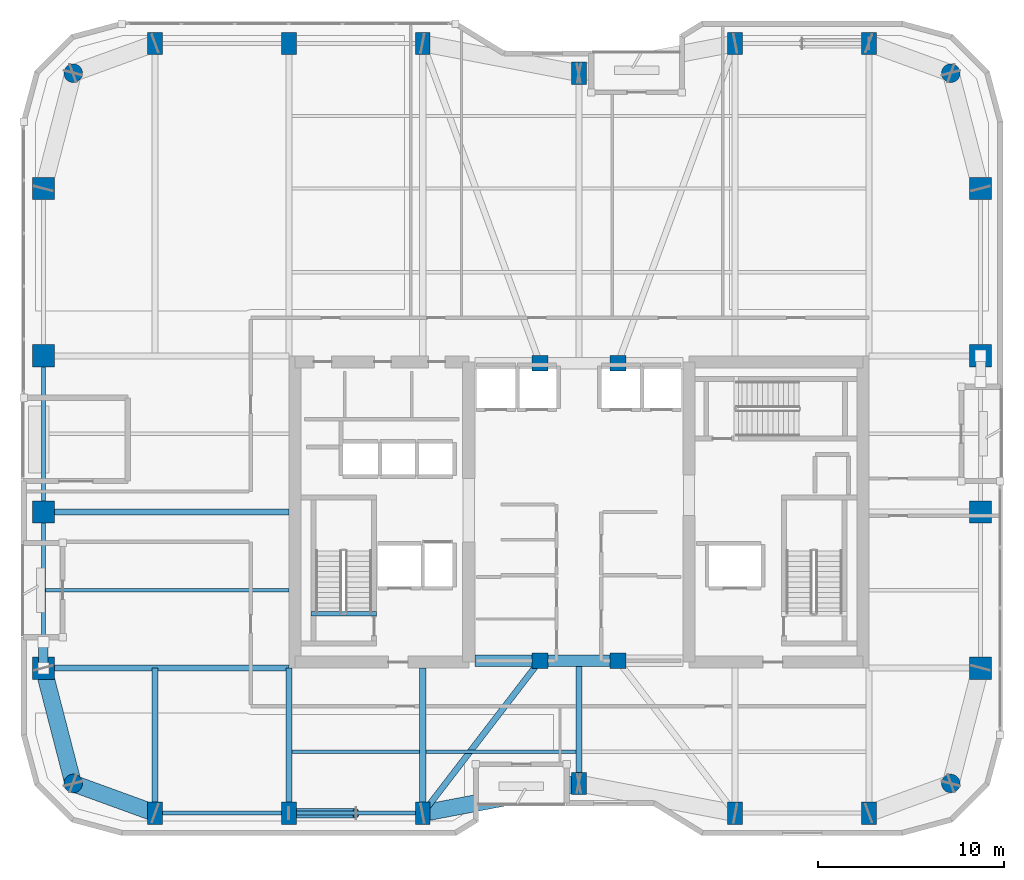
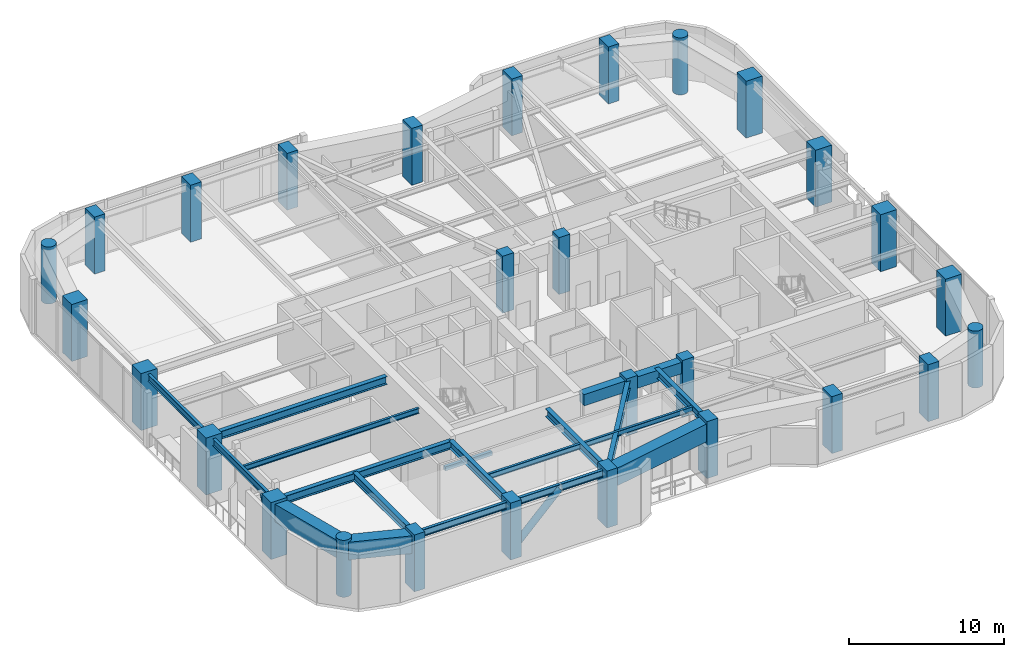
# One storey, part 1 of 21: 28 columns, 20 beams, 2 members.
"""IFC4 building model written with IfcOpenShell, lengths in metres."""

from ifc_helpers import new_model, si_unit, direction, frame, origin, origin_2d, place, context, subcontext, project, spatial, rectangle, hollow_rectangle, circle, hollow_circle, i_section, extrude, material, material_profile, profile_set, type_object, element, save


model = new_model("IFC4")

# Units and contexts
model_context = context("Model", 3, precision=1e-05, world=origin(), true_north=direction((0.0, 1.0)))
body_context = subcontext(model_context, "Body", "Model", "MODEL_VIEW")
ifc_project = project(units=[si_unit("LENGTHUNIT", "METRE"), si_unit("AREAUNIT", "SQUARE_METRE"), si_unit("VOLUMEUNIT", "CUBIC_METRE"), si_unit("PLANEANGLEUNIT", "RADIAN"), si_unit("MASSUNIT", "GRAM", prefix="KILO")], contexts=[model_context])

# Site, building, storey
site_placement = place(None, origin())
site = spatial("IfcSite", under=ifc_project, at=site_placement, CompositionType="ELEMENT")
building_placement = place(site_placement, origin())
building = spatial("IfcBuilding", under=site, at=building_placement, Name="Kiyonajd Concourse Tower", CompositionType="ELEMENT")
storey_placement = place(building_placement, frame((0.0, 0.0, 181.800048828125)))
storey = spatial("IfcBuildingStorey", under=building, at=storey_placement, Name="L46", CompositionType="ELEMENT", Elevation=181.800048828125)

# Columns
ifc_material_1 = material(Name="Concrete C70/85", Category="concrete")
ifc_material_profile_1 = material_profile(ifc_material_1, rectangle(XDim=0.800048828125, YDim=1.199951171875, at=origin_2d()), Name="RC-1200x800")
ifc_profile_set_1 = profile_set([ifc_material_profile_1], Name="Concrete C70/85")
column_type_1 = type_object("IfcColumnType", Name="CL-BLADE-1200", PredefinedType="COLUMN", material=ifc_profile_set_1)
for number, where, z_axis, x_axis, name in (
    (1, (25.199951171875, 19.800048828125, 0.0), (0.0, 0.0, 1.0), (1.0, 0.0, 0.0), "L46 Perimeter Bundled Tube Column"),
    (2, (25.199951171875, 61.199951171875, 0.0), (0.0, 0.0, 1.0), (1.0, 0.0, 0.0), "L46 Perimeter Bundled Tube Column"),
    (3, (32.39990234375, 19.800048828125, 0.0), (0.0, 0.0, 1.0), (1.0, 0.0, 0.0), "L46 Perimeter Bundled Tube Column"),
    (4, (32.39990234375, 61.199951171875, 0.0), (0.0, 0.0, 1.0), (1.0, 0.0, 0.0), "L46 Perimeter Bundled Tube Column"),
    (5, (39.60009765625, 19.800048828125, 0.0), (0.0, 0.0, 1.0), (1.0, 0.0, 0.0), "L46 Perimeter Bundled Tube Column"),
    (6, (39.60009765625, 61.199951171875, 0.0), (0.0, 0.0, 1.0), (1.0, 0.0, 0.0), "L46 Perimeter Bundled Tube Column"),
    (7, (48.0, 21.39990234375, 0.0), (0.0, 0.0, 1.0), (1.0, 0.0, 0.0), "L46 Perimeter Bundled Tube Column"),
    (8, (48.0, 59.60009765625, 0.0), (0.0, 0.0, 1.0), (1.0, 0.0, 0.0), "L46 Perimeter Bundled Tube Column"),
    (9, (56.39990234375, 19.800048828125, 0.0), (0.0, 0.0, 1.0), (1.0, 0.0, 0.0), "L46 Perimeter Bundled Tube Column"),
    (10, (56.39990234375, 61.199951171875, 0.0), (0.0, 0.0, 1.0), (1.0, 0.0, 0.0), "L46 Perimeter Bundled Tube Column"),
    (11, (63.60009765625, 19.800048828125, 0.0), (0.0, 0.0, 1.0), (1.0, 0.0, 0.0), "L46 Perimeter Bundled Tube Column"),
    (12, (63.60009765625, 61.199951171875, 0.0), (0.0, 0.0, 1.0), (1.0, 0.0, 0.0), "L46 Perimeter Bundled Tube Column"),
):
    element("IfcColumn", number, at=place(storey_placement, frame(where, z_axis=z_axis, x_axis=x_axis)), inside=storey, type_object=column_type_1, Name=name, PredefinedType="COLUMN", context=body_context, shape_type="SweptSolid", body=[
        extrude(rectangle(XDim=0.800048828125, YDim=1.199951171875, at=origin_2d()), origin(), (0.0, 0.0, 1.0), 4.5),
    ])
ifc_material_2 = material(Name="Concrete C60/75", Category="concrete")
ifc_material_profile_2 = material_profile(ifc_material_2, circle(Radius=0.5, at=origin_2d()), Name="RCC-D1000")
ifc_profile_set_2 = profile_set([ifc_material_profile_2], Name="Concrete C60/75")
column_type_2 = type_object("IfcColumnType", Name="CL-RND-1000", PredefinedType="COLUMN", material=ifc_profile_set_2)
for number, where, z_axis, x_axis, name in (
    (13, (20.800048828125, 21.39990234375, 0.0), (0.0, 0.0, 1.0), (1.0, 0.0, 0.0), "L46 Bundled Tube Corner Column South West"),
    (14, (68.0, 21.39990234375, 0.0), (0.0, 0.0, 1.0), (1.0, 0.0, 0.0), "L46 Bundled Tube Corner Column South East"),
    (15, (68.0, 59.60009765625, 0.0), (0.0, 0.0, 1.0), (1.0, 0.0, 0.0), "L46 Bundled Tube Corner Column North East"),
    (16, (20.800048828125, 59.60009765625, 0.0), (0.0, 0.0, 1.0), (1.0, 0.0, 0.0), "L46 Bundled Tube Corner Column North West"),
):
    element("IfcColumn", number, at=place(storey_placement, frame(where, z_axis=z_axis, x_axis=x_axis)), inside=storey, type_object=column_type_2, Name=name, PredefinedType="COLUMN", context=body_context, shape_type="SweptSolid", body=[
        extrude(circle(Radius=0.5, at=origin_2d()), origin(), (0.0, 0.0, 1.0), 4.5),
    ])
ifc_material_profile_3 = material_profile(ifc_material_1, rectangle(XDim=1.199951171875, YDim=1.199951171875, at=origin_2d()), Name="RC-1200x1200")
ifc_profile_set_3 = profile_set([ifc_material_profile_3], Name="Concrete C70/85")
column_type_3 = type_object("IfcColumnType", Name="CL-TUBE-1200", PredefinedType="COLUMN", material=ifc_profile_set_3)
for number, where, z_axis, x_axis, name in (
    (17, (19.199951171875, 27.60009765625, 0.0), (0.0, 0.0, 1.0), (1.0, 0.0, 0.0), "L46 Perimeter Bundled Tube Column"),
    (18, (69.60009765625, 27.60009765625, 0.0), (0.0, 0.0, 1.0), (1.0, 0.0, 0.0), "L46 Perimeter Bundled Tube Column"),
    (19, (19.199951171875, 36.0, 0.0), (0.0, 0.0, 1.0), (1.0, 0.0, 0.0), "L46 Perimeter Bundled Tube Column"),
    (20, (69.60009765625, 36.0, 0.0), (0.0, 0.0, 1.0), (1.0, 0.0, 0.0), "L46 Perimeter Bundled Tube Column"),
    (21, (19.199951171875, 44.39990234375, 0.0), (0.0, 0.0, 1.0), (1.0, 0.0, 0.0), "L46 Perimeter Bundled Tube Column"),
    (22, (69.60009765625, 44.39990234375, 0.0), (0.0, 0.0, 1.0), (1.0, 0.0, 0.0), "L46 Perimeter Bundled Tube Column"),
    (23, (19.199951171875, 53.39990234375, 0.0), (0.0, 0.0, 1.0), (1.0, 0.0, 0.0), "L46 Perimeter Bundled Tube Column"),
    (24, (69.60009765625, 53.39990234375, 0.0), (0.0, 0.0, 1.0), (1.0, 0.0, 0.0), "L46 Perimeter Bundled Tube Column"),
):
    element("IfcColumn", number, at=place(storey_placement, frame(where, z_axis=z_axis, x_axis=x_axis)), inside=storey, type_object=column_type_3, Name=name, PredefinedType="COLUMN", context=body_context, shape_type="SweptSolid", body=[
        extrude(rectangle(XDim=1.199951171875, YDim=1.199951171875, at=origin_2d()), origin(), (0.0, 0.0, 1.0), 4.5),
    ])
ifc_material_profile_4 = material_profile(ifc_material_2, rectangle(XDim=0.85009765625, YDim=0.85009765625, at=origin_2d()), Name="RC-850x850")
ifc_profile_set_4 = profile_set([ifc_material_profile_4], Name="Concrete C60/75")
column_type_4 = type_object("IfcColumnType", Name="CL-TUBE-850", PredefinedType="COLUMN", material=ifc_profile_set_4)
for number, where, z_axis, x_axis, name in (
    (25, (45.89990234375, 28.0, 0.0), (0.0, 0.0, 1.0), (1.0, 0.0, 0.0), "L46 Core Tie Column South West"),
    (26, (50.10009765625, 28.0, 0.0), (0.0, 0.0, 1.0), (1.0, 0.0, 0.0), "L46 Core Tie Column South East"),
    (27, (45.89990234375, 44.0, 0.0), (0.0, 0.0, 1.0), (1.0, 0.0, 0.0), "L46 Core Tie Column North West"),
    (28, (50.10009765625, 44.0, 0.0), (0.0, 0.0, 1.0), (1.0, 0.0, 0.0), "L46 Core Tie Column North East"),
):
    element("IfcColumn", number, at=place(storey_placement, frame(where, z_axis=z_axis, x_axis=x_axis)), inside=storey, type_object=column_type_4, Name=name, PredefinedType="COLUMN", context=body_context, shape_type="SweptSolid", body=[
        extrude(rectangle(XDim=0.85009765625, YDim=0.85009765625, at=origin_2d()), origin(), (0.0, 0.0, 1.0), 4.5),
    ])

# Beams
ifc_material_profile_5 = material_profile(ifc_material_2, rectangle(XDim=0.60009765625, YDim=0.89990234375, at=origin_2d()), Name="RCBM-600x900")
ifc_profile_set_5 = profile_set([ifc_material_profile_5], Name="Concrete C60/75")
beam_type_1 = type_object("IfcBeamType", Name="BM-COUP-900", PredefinedType="LINTEL", material=ifc_profile_set_5)
beam_1_placement = place(storey_placement, frame((42.39990234375, 28.0, 3.829833984375), z_axis=(1.0, 0.0, 0.0), x_axis=(0.0, 1.0, 0.0)))
element("IfcBeam", 29, at=beam_1_placement, inside=storey, type_object=beam_type_1, Name="L46 Core Coupling Beam S1", PredefinedType="LINTEL", context=body_context, shape_type="SweptSolid", body=[
    extrude(rectangle(XDim=0.60009765625, YDim=0.89990234375, at=origin_2d()), origin(), (0.0, 0.0, 1.0), 3.5),
])
beam_2_placement = place(storey_placement, frame((45.89990234375, 28.0, 3.829833984375), z_axis=(1.0, 0.0, 0.0), x_axis=(0.0, 1.0, 0.0)))
element("IfcBeam", 30, at=beam_2_placement, inside=storey, type_object=beam_type_1, Name="L46 Core Coupling Beam S2", PredefinedType="LINTEL", context=body_context, shape_type="SweptSolid", body=[
    extrude(rectangle(XDim=0.60009765625, YDim=0.89990234375, at=origin_2d()), origin(), (0.0, 0.0, 1.0), 4.2001953125),
])
ifc_material_3 = material(Name="Steel ASTM A992 Grade 50", Category="steel")
ifc_material_profile_6 = material_profile(ifc_material_3, i_section(OverallWidth=0.180908203125, OverallDepth=0.4169921875, WebThickness=0.010986328125, FlangeThickness=0.018310546875, at=origin_2d()), Name="W410X85")
ifc_profile_set_6 = profile_set([ifc_material_profile_6], Name="Steel ASTM A992 Grade 50")
beam_type_2 = type_object("IfcBeamType", Name="BM-JST-410", PredefinedType="JOIST", material=ifc_profile_set_6)
beam_3_placement = place(storey_placement, frame((32.5634765625, 23.10009765625, 4.071533203125), z_axis=(1.0, 0.0, 0.0), x_axis=(0.0, 1.0, 0.0)))
element("IfcBeam", 31, at=beam_3_placement, inside=storey, type_object=beam_type_2, Name="L46 Secondary Floor Joist", PredefinedType="JOIST", context=body_context, shape_type="SweptSolid", body=[
    extrude(i_section(OverallWidth=0.180908203125, OverallDepth=0.4169921875, WebThickness=0.010986328125, FlangeThickness=0.018310546875, at=origin_2d()), origin(), (0.0, 0.0, 1.0), 6.873046875),
])
beam_4_placement = place(storey_placement, frame((39.763427734375, 23.10009765625, 4.071533203125), z_axis=(1.0, 0.0, 0.0), x_axis=(0.0, 1.0, 0.0)))
element("IfcBeam", 32, at=beam_4_placement, inside=storey, type_object=beam_type_2, Name="L46 Secondary Floor Joist", PredefinedType="JOIST", context=body_context, shape_type="SweptSolid", body=[
    extrude(i_section(OverallWidth=0.180908203125, OverallDepth=0.4169921875, WebThickness=0.010986328125, FlangeThickness=0.018310546875, at=origin_2d()), origin(), (0.0, 0.0, 1.0), 8.072998046875),
])
beam_5_placement = place(storey_placement, frame((19.306884765625, 31.800048828125, 4.071533203125), z_axis=(1.0, 0.0, 0.0), x_axis=(0.0, 1.0, 0.0)))
element("IfcBeam", 33, at=beam_5_placement, inside=storey, type_object=beam_type_2, Name="L46 West Secondary Floor Joist", PredefinedType="JOIST", context=body_context, shape_type="SweptSolid", body=[
    extrude(i_section(OverallWidth=0.180908203125, OverallDepth=0.4169921875, WebThickness=0.010986328125, FlangeThickness=0.018310546875, at=origin_2d()), origin(), (0.0, 0.0, 1.0), 13.093017578125),
])
ifc_material_4 = material(Name="Concrete C50/60", Category="concrete")
ifc_material_profile_7 = material_profile(ifc_material_4, rectangle(XDim=0.239990234375, YDim=0.320068359375, at=origin_2d()), Name="RCBM-240x320")
ifc_profile_set_7 = profile_set([ifc_material_profile_7], Name="Concrete C50/60")
beam_type_3 = type_object("IfcBeamType", Name="BM-LNT-250", PredefinedType="LINTEL", material=ifc_profile_set_7)
beam_6_placement = place(storey_placement, frame((33.590087890625, 30.530029296875, -0.16015625), z_axis=(1.0, 0.0, 0.0), x_axis=(0.0, 1.0, 0.0)))
element("IfcBeam", 34, at=beam_6_placement, inside=storey, type_object=beam_type_3, Name="L46 Stair ST1 Threshold Support Beam", PredefinedType="LINTEL", context=body_context, shape_type="SweptSolid", body=[
    extrude(rectangle(XDim=0.239990234375, YDim=0.320068359375, at=origin_2d()), origin(), (0.0, 0.0, 1.0), 3.52001953125),
])
ifc_material_profile_8 = material_profile(ifc_material_3, i_section(OverallWidth=0.214111328125, OverallDepth=0.549072265625, WebThickness=0.0146484375, FlangeThickness=0.023681640625, at=origin_2d()), Name="W530X138")
ifc_profile_set_8 = profile_set([ifc_material_profile_8], Name="Steel ASTM A992 Grade 50")
beam_type_4 = type_object("IfcBeamType", Name="BM-SPAN-530A", PredefinedType="SPANDREL", material=ifc_profile_set_8)
beam_7_placement = place(storey_placement, frame((25.199951171875, 19.800048828125, 4.00537109375), z_axis=(1.0, 0.0, 0.0), x_axis=(0.0, 1.0, 0.0)))
element("IfcBeam", 35, at=beam_7_placement, inside=storey, type_object=beam_type_4, Name="L46 Perimeter Bundled Tube Spandrel", PredefinedType="SPANDREL", context=body_context, shape_type="SweptSolid", body=[
    extrude(i_section(OverallWidth=0.214111328125, OverallDepth=0.549072265625, WebThickness=0.0146484375, FlangeThickness=0.023681640625, at=origin_2d()), origin(), (0.0, 0.0, 1.0), 7.199951171875),
])
beam_8_placement = place(storey_placement, frame((32.39990234375, 19.800048828125, 4.00537109375), z_axis=(1.0, 0.0, 0.0), x_axis=(0.0, 1.0, 0.0)))
element("IfcBeam", 36, at=beam_8_placement, inside=storey, type_object=beam_type_4, Name="L46 Perimeter Bundled Tube Spandrel", PredefinedType="SPANDREL", context=body_context, shape_type="SweptSolid", body=[
    extrude(i_section(OverallWidth=0.214111328125, OverallDepth=0.549072265625, WebThickness=0.0146484375, FlangeThickness=0.023681640625, at=origin_2d()), origin(), (0.0, 0.0, 1.0), 7.2001953125),
])
for number, where, z_axis, x_axis, name in (
    (37, (19.199951171875, 44.39990234375, 4.00537109375), (0.0, -1.0, 0.0), (1.0, 0.0, 0.0), "L46 Perimeter Bundled Tube Spandrel"),
    (38, (19.199951171875, 36.0, 4.00537109375), (0.0, -1.0, 0.0), (1.0, 0.0, 0.0), "L46 Perimeter Bundled Tube Spandrel"),
):
    element("IfcBeam", number, at=place(storey_placement, frame(where, z_axis=z_axis, x_axis=x_axis)), inside=storey, type_object=beam_type_4, Name=name, PredefinedType="SPANDREL", context=body_context, shape_type="SweptSolid", body=[
        extrude(i_section(OverallWidth=0.214111328125, OverallDepth=0.549072265625, WebThickness=0.0146484375, FlangeThickness=0.023681640625, at=origin_2d()), origin(), (0.0, 0.0, 1.0), 8.39990234375),
    ])
ifc_material_profile_9 = material_profile(ifc_material_3, i_section(OverallWidth=0.326904296875, OverallDepth=0.6220703125, WebThickness=0.015380859375, FlangeThickness=0.0244140625, at=origin_2d()), Name="W610X195")
ifc_profile_set_9 = profile_set([ifc_material_profile_9], Name="Steel ASTM A992 Grade 50")
beam_type_5 = type_object("IfcBeamType", Name="BM-TWR-610A", PredefinedType="BEAM", material=ifc_profile_set_9)
beam_9_placement = place(storey_placement, frame((39.60009765625, 19.800048828125, 3.968994140625), z_axis=(0.609233709922, 0.792990722956, 0.0), x_axis=(-0.792990722956, 0.609233709922, 0.0)))
element("IfcBeam", 39, at=beam_9_placement, inside=storey, type_object=beam_type_5, Name="L46 Core Tie Girder", PredefinedType="BEAM", context=body_context, shape_type="SweptSolid", body=[
    extrude(i_section(OverallWidth=0.326904296875, OverallDepth=0.6220703125, WebThickness=0.015380859375, FlangeThickness=0.0244140625, at=origin_2d()), origin(), (0.0, 0.0, 1.0), 10.340576171875),
])
for number, where, z_axis, x_axis, name in (
    (40, (25.199951171875, 19.800048828125, 3.968994140625), (0.0, 1.0, 0.0), (-1.0, 0.0, 0.0), "L46 South Lease Girder"),
    (41, (32.39990234375, 19.800048828125, 3.968994140625), (0.0, 1.0, 0.0), (-1.0, 0.0, 0.0), "L46 South Lease Girder"),
    (42, (39.60009765625, 19.800048828125, 3.968994140625), (0.0, 1.0, 0.0), (-1.0, 0.0, 0.0), "L46 South Lease Girder"),
):
    element("IfcBeam", number, at=place(storey_placement, frame(where, z_axis=z_axis, x_axis=x_axis)), inside=storey, type_object=beam_type_5, Name=name, PredefinedType="BEAM", context=body_context, shape_type="SweptSolid", body=[
        extrude(i_section(OverallWidth=0.326904296875, OverallDepth=0.6220703125, WebThickness=0.015380859375, FlangeThickness=0.0244140625, at=origin_2d()), origin(), (0.0, 0.0, 1.0), 7.800048828125),
    ])
beam_10_placement = place(storey_placement, frame((48.0, 21.39990234375, 3.968994140625), z_axis=(0.0, 1.0, 0.0), x_axis=(-1.0, 0.0, 0.0)))
element("IfcBeam", 43, at=beam_10_placement, inside=storey, type_object=beam_type_5, Name="L46 South Ribbon Girder", PredefinedType="BEAM", context=body_context, shape_type="SweptSolid", body=[
    extrude(i_section(OverallWidth=0.326904296875, OverallDepth=0.6220703125, WebThickness=0.015380859375, FlangeThickness=0.0244140625, at=origin_2d()), origin(), (0.0, 0.0, 1.0), 6.60009765625),
])
for number, where, z_axis, x_axis, name in (
    (44, (19.199951171875, 27.60009765625, 3.968994140625), (1.0, 0.0, 0.0), (0.0, 1.0, 0.0), "L46 West Lease Girder"),
    (45, (19.199951171875, 36.0, 3.968994140625), (1.0, 0.0, 0.0), (0.0, 1.0, 0.0), "L46 West Lease Girder"),
):
    element("IfcBeam", number, at=place(storey_placement, frame(where, z_axis=z_axis, x_axis=x_axis)), inside=storey, type_object=beam_type_5, Name=name, PredefinedType="BEAM", context=body_context, shape_type="SweptSolid", body=[
        extrude(i_section(OverallWidth=0.326904296875, OverallDepth=0.6220703125, WebThickness=0.015380859375, FlangeThickness=0.0244140625, at=origin_2d()), origin(), (0.0, 0.0, 1.0), 13.199951171875),
    ])
ifc_material_5 = material(Name="Steel ASTM A572 Grade 50", Category="steel")
ifc_material_profile_10 = material_profile(ifc_material_5, hollow_rectangle(XDim=0.89990234375, YDim=1.39990234375, WallThickness=0.070068359375, at=origin_2d()), Name="BOX-1400x900x70")
ifc_profile_set_10 = profile_set([ifc_material_profile_10], Name="Steel ASTM A572 Grade 50")
beam_type_6 = type_object("IfcBeamType", Name="BM-XFER-1400", PredefinedType="BEAM", material=ifc_profile_set_10)
beam_11_placement = place(storey_placement, frame((19.199951171875, 27.60009765625, 3.579833984375), z_axis=(0.249884937687, -0.968275538221, 0.0), x_axis=(0.968275538221, 0.249884937687, 0.0)))
element("IfcBeam", 46, at=beam_11_placement, inside=storey, type_object=beam_type_6, Name="L46 Perimeter Bundled Tube Spandrel", PredefinedType="BEAM", context=body_context, shape_type="SweptSolid", body=[
    extrude(hollow_rectangle(XDim=0.89990234375, YDim=1.39990234375, WallThickness=0.070068359375, at=origin_2d()), origin(), (0.0, 0.0, 1.0), 6.4033203125),
])
beam_12_placement = place(storey_placement, frame((20.800048828125, 21.39990234375, 3.579833984375), z_axis=(0.939801036019, -0.341722127901, 0.0), x_axis=(0.341722127901, 0.939801036019, 0.0)))
element("IfcBeam", 47, at=beam_12_placement, inside=storey, type_object=beam_type_6, Name="L46 Perimeter Bundled Tube Spandrel", PredefinedType="BEAM", context=body_context, shape_type="SweptSolid", body=[
    extrude(hollow_rectangle(XDim=0.89990234375, YDim=1.39990234375, WallThickness=0.070068359375, at=origin_2d()), origin(), (0.0, 0.0, 1.0), 4.681640625),
])
beam_13_placement = place(storey_placement, frame((39.60009765625, 19.800048828125, 3.579833984375), z_axis=(0.982341315253, 0.187097675953, 0.0), x_axis=(-0.187097675953, 0.982341315253, 0.0)))
element("IfcBeam", 48, at=beam_13_placement, inside=storey, type_object=beam_type_6, Name="L46 Perimeter Bundled Tube Spandrel", PredefinedType="BEAM", context=body_context, shape_type="SweptSolid", body=[
    extrude(hollow_rectangle(XDim=0.89990234375, YDim=1.39990234375, WallThickness=0.070068359375, at=origin_2d()), origin(), (0.0, 0.0, 1.0), 8.55078125),
])

# Members
ifc_material_6 = material(Name="Steel ASTM A500 Grade C", Category="steel")
ifc_material_profile_11 = material_profile(ifc_material_6, hollow_circle(Radius=0.25390625, WallThickness=0.02197265625, at=origin_2d()), Name="CHS-508x22")
ifc_profile_set_11 = profile_set([ifc_material_profile_11], Name="Steel ASTM A500 Grade C")
member_type = type_object("IfcMemberType", Name="MB-PB-MID", PredefinedType="BRACE", material=ifc_profile_set_11)
member_1_placement = place(storey_placement, frame((32.39990234375, 19.800048828125, 0.300048828125), z_axis=(0.704187756773, 0.0, 0.710013804944), x_axis=(0.0, 1.0, 0.0)))
element("IfcMember", 49, at=member_1_placement, inside=storey, type_object=member_type, Name="L46 Upper Zone Hollow Tube Brace PBS", PredefinedType="BRACE", context=body_context, shape_type="SweptSolid", body=[
    extrude(hollow_circle(Radius=0.25390625, WallThickness=0.02197265625, at=origin_2d()), origin(), (0.0, 0.0, 1.0), 5.1123046875),
])
member_2_placement = place(storey_placement, frame((19.199951171875, 27.60009765625, 0.300048828125), z_axis=(0.0, 0.359828366716, 0.933018513486), x_axis=(-1.0, 0.0, 0.0)))
element("IfcMember", 50, at=member_2_placement, inside=storey, type_object=member_type, Name="L46 Upper Zone Hollow Tube Brace PBW", PredefinedType="BRACE", context=body_context, shape_type="SweptSolid", body=[
    extrude(hollow_circle(Radius=0.25390625, WallThickness=0.02197265625, at=origin_2d()), origin(), (0.0, 0.0, 1.0), 3.890380859375),
])

save(model, "model.ifc")
